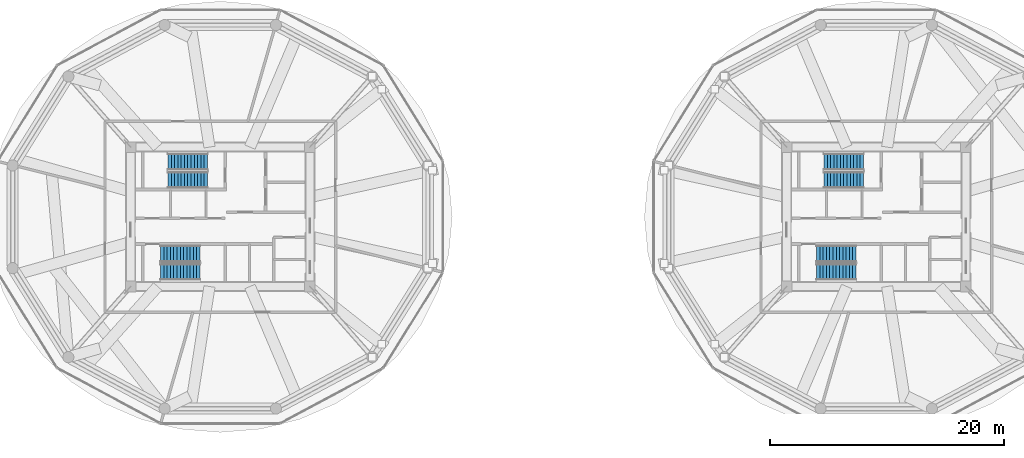
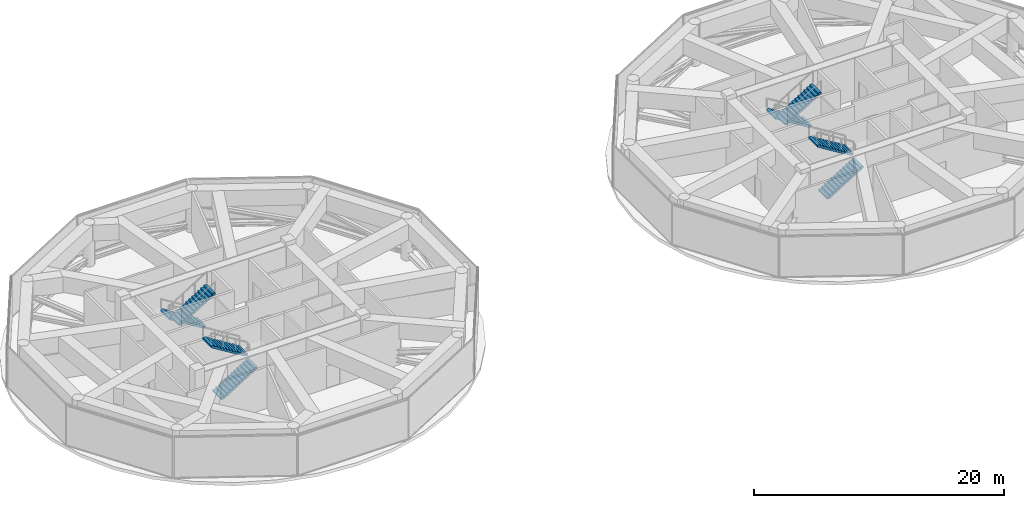
# One storey, part 19 of 22: 8 stair flights, 4 elements without a shape of their own.
"""IFC4 building model written with IfcOpenShell, lengths in metres."""

from ifc_helpers import new_model, si_unit, direction, frame, origin, place, context, subcontext, project, spatial, polyline, outline, extrude, material, type_object, element, aggregate, save


model = new_model("IFC4")

# Units and contexts
model_context = context("Model", 3, precision=1e-05, world=origin(), true_north=direction((0.0, 1.0)))
body_context = subcontext(model_context, "Body", "Model", "MODEL_VIEW")
ifc_project = project(units=[si_unit("LENGTHUNIT", "METRE"), si_unit("AREAUNIT", "SQUARE_METRE"), si_unit("VOLUMEUNIT", "CUBIC_METRE"), si_unit("PLANEANGLEUNIT", "RADIAN"), si_unit("MASSUNIT", "GRAM", prefix="KILO")], contexts=[model_context])

# Site, building, storey
site_placement = place(None, origin())
site = spatial("IfcSite", under=ifc_project, at=site_placement, CompositionType="ELEMENT")
building_placement = place(site_placement, origin())
building = spatial("IfcBuilding", under=site, at=building_placement, Name="Norrkilde Senior Care Towers", CompositionType="ELEMENT")
storey_placement = place(building_placement, frame((0.0, 0.0, 73.449951171875)))
storey = spatial("IfcBuildingStorey", under=building, at=storey_placement, Name="L22", CompositionType="ELEMENT", Elevation=73.449951171875)

# Stair, stair flights
ifc_material = material(Name="Concrete C45/55", Category="concrete")
stair_type = type_object("IfcStairType", Name="Core Protected Dogleg Stair Refuge 4500", PredefinedType="HALF_TURN_STAIR", material=ifc_material)
stair_1_placement = place(storey_placement, origin())
stair_1 = element("IfcStair", 1, at=stair_1_placement, inside=storey, type_object=stair_type, Name="L22 Protected Core Stair W1", PredefinedType="HALF_TURN_STAIR")
stair_flight_type = type_object("IfcStairFlightType", Name="Core Protected Dogleg Stair Refuge 4500 Flight", PredefinedType="STRAIGHT", material=ifc_material)
stair_flight_1_placement = place(storey_placement, frame((-29.10009765625, 4.699951171875, 0.0), z_axis=(0.0, 0.0, 1.0), x_axis=(-1.0, 0.0, 0.0)))
stair_flight_1 = element("IfcStairFlight", 2, at=stair_flight_1_placement, type_object=stair_flight_type, Name="ST-W1 flight 1", NumberOfRisers=13, NumberOfTreads=12, PredefinedType="STRAIGHT", RiserHeight=0.173076923, TreadLength=0.28, context=body_context, shape_type="SweptSolid", body=[
    extrude(outline(polyline([(0.0, 0.0), (0.0, 0.173095703125), (0.280029296875, 0.173095703125), (0.280029296875, 0.34619140625), (0.56005859375, 0.34619140625), (0.56005859375, 0.519287109375), (0.840087890625, 0.519287109375), (0.840087890625, 0.6923828125), (1.1201171875, 0.6923828125), (1.1201171875, 0.865478515625), (1.39990234375, 0.865478515625), (1.39990234375, 1.03857421875), (1.679931640625, 1.03857421875), (1.679931640625, 1.21142578125), (1.9599609375, 1.21142578125), (1.9599609375, 1.384521484375), (2.239990234375, 1.384521484375), (2.239990234375, 1.5576171875), (2.52001953125, 1.5576171875), (2.52001953125, 1.730712890625), (2.800048828125, 1.730712890625), (2.800048828125, 1.90380859375), (3.080078125, 1.90380859375), (3.080078125, 2.076904296875), (3.360107421875, 2.076904296875), (3.360107421875, 2.25), (3.360107421875, 1.900634765625), (0.28515625, 0.0), (0.0, 0.0)])), frame((0.0, 0.699951171875, 0.0), z_axis=(0.0, -1.0, 0.0), x_axis=(1.0, 0.0, 0.0)), (0.0, 0.0, 1.0), 1.39990234375),
])
stair_flight_2_placement = place(storey_placement, frame((-32.4599609375, 3.14990234375, 2.25), z_axis=(0.0, 0.0, 1.0), x_axis=(1.0, 0.0, 0.0)))
stair_flight_2 = element("IfcStairFlight", 3, at=stair_flight_2_placement, type_object=stair_flight_type, Name="ST-W1 flight 2", NumberOfRisers=13, NumberOfTreads=12, PredefinedType="STRAIGHT", RiserHeight=0.173076923, TreadLength=0.28, context=body_context, shape_type="SweptSolid", body=[
    extrude(outline(polyline([(0.0, 0.0), (0.0, 0.173095703125), (0.280029296875, 0.173095703125), (0.280029296875, 0.34619140625), (0.56005859375, 0.34619140625), (0.56005859375, 0.519287109375), (0.840087890625, 0.519287109375), (0.840087890625, 0.6923828125), (1.1201171875, 0.6923828125), (1.1201171875, 0.865478515625), (1.39990234375, 0.865478515625), (1.39990234375, 1.03857421875), (1.679931640625, 1.03857421875), (1.679931640625, 1.21142578125), (1.9599609375, 1.21142578125), (1.9599609375, 1.384521484375), (2.239990234375, 1.384521484375), (2.239990234375, 1.5576171875), (2.52001953125, 1.5576171875), (2.52001953125, 1.730712890625), (2.800048828125, 1.730712890625), (2.800048828125, 1.90380859375), (3.080078125, 1.90380859375), (3.080078125, 2.076904296875), (3.360107421875, 2.076904296875), (3.360107421875, 2.25), (3.360107421875, 1.900634765625), (0.28515625, 0.0), (0.0, 0.0)])), frame((0.0, 0.699951171875, 0.0), z_axis=(0.0, -1.0, 0.0), x_axis=(1.0, 0.0, 0.0)), (0.0, 0.0, 1.0), 1.39990234375),
])
aggregate(stair_1, [stair_flight_1, stair_flight_2])

stair_2_placement = place(storey_placement, origin())
stair_2 = element("IfcStair", 4, at=stair_2_placement, inside=storey, type_object=stair_type, Name="L22 Protected Core Stair W2", PredefinedType="HALF_TURN_STAIR")
stair_flight_3_placement = place(storey_placement, frame((-33.10009765625, -4.699951171875, 0.0), z_axis=(0.0, 0.0, 1.0), x_axis=(1.0, 0.0, 0.0)))
stair_flight_3 = element("IfcStairFlight", 5, at=stair_flight_3_placement, type_object=stair_flight_type, Name="ST-W2 flight 1", NumberOfRisers=13, NumberOfTreads=12, PredefinedType="STRAIGHT", RiserHeight=0.173076923, TreadLength=0.28, context=body_context, shape_type="SweptSolid", body=[
    extrude(outline(polyline([(0.0, 0.0), (0.0, 0.173095703125), (0.280029296875, 0.173095703125), (0.280029296875, 0.34619140625), (0.56005859375, 0.34619140625), (0.56005859375, 0.519287109375), (0.840087890625, 0.519287109375), (0.840087890625, 0.6923828125), (1.1201171875, 0.6923828125), (1.1201171875, 0.865478515625), (1.39990234375, 0.865478515625), (1.39990234375, 1.03857421875), (1.679931640625, 1.03857421875), (1.679931640625, 1.21142578125), (1.9599609375, 1.21142578125), (1.9599609375, 1.384521484375), (2.239990234375, 1.384521484375), (2.239990234375, 1.5576171875), (2.52001953125, 1.5576171875), (2.52001953125, 1.730712890625), (2.800048828125, 1.730712890625), (2.800048828125, 1.90380859375), (3.080078125, 1.90380859375), (3.080078125, 2.076904296875), (3.360107421875, 2.076904296875), (3.360107421875, 2.25), (3.360107421875, 1.900634765625), (0.28515625, 0.0), (0.0, 0.0)])), frame((0.0, 0.699951171875, 0.0), z_axis=(0.0, -1.0, 0.0), x_axis=(1.0, 0.0, 0.0)), (0.0, 0.0, 1.0), 1.39990234375),
])
stair_flight_4_placement = place(storey_placement, frame((-29.739990234375, -3.14990234375, 2.25), z_axis=(0.0, 0.0, 1.0), x_axis=(-1.0, 0.0, 0.0)))
stair_flight_4 = element("IfcStairFlight", 6, at=stair_flight_4_placement, type_object=stair_flight_type, Name="ST-W2 flight 2", NumberOfRisers=13, NumberOfTreads=12, PredefinedType="STRAIGHT", RiserHeight=0.173076923, TreadLength=0.28, context=body_context, shape_type="SweptSolid", body=[
    extrude(outline(polyline([(0.0, 0.0), (0.0, 0.173095703125), (0.280029296875, 0.173095703125), (0.280029296875, 0.34619140625), (0.56005859375, 0.34619140625), (0.56005859375, 0.519287109375), (0.840087890625, 0.519287109375), (0.840087890625, 0.6923828125), (1.1201171875, 0.6923828125), (1.1201171875, 0.865478515625), (1.39990234375, 0.865478515625), (1.39990234375, 1.03857421875), (1.679931640625, 1.03857421875), (1.679931640625, 1.21142578125), (1.9599609375, 1.21142578125), (1.9599609375, 1.384521484375), (2.239990234375, 1.384521484375), (2.239990234375, 1.5576171875), (2.52001953125, 1.5576171875), (2.52001953125, 1.730712890625), (2.800048828125, 1.730712890625), (2.800048828125, 1.90380859375), (3.080078125, 1.90380859375), (3.080078125, 2.076904296875), (3.360107421875, 2.076904296875), (3.360107421875, 2.25), (3.360107421875, 1.900634765625), (0.28515625, 0.0), (0.0, 0.0)])), frame((0.0, 0.699951171875, 0.0), z_axis=(0.0, -1.0, 0.0), x_axis=(1.0, 0.0, 0.0)), (0.0, 0.0, 1.0), 1.39990234375),
])
aggregate(stair_2, [stair_flight_3, stair_flight_4])

stair_3_placement = place(storey_placement, origin())
stair_3 = element("IfcStair", 7, at=stair_3_placement, inside=storey, type_object=stair_type, Name="L22 Protected Core Stair E1", PredefinedType="HALF_TURN_STAIR")
stair_flight_5_placement = place(storey_placement, frame((26.89990234375, 4.699951171875, 0.0), z_axis=(0.0, 0.0, 1.0), x_axis=(-1.0, 0.0, 0.0)))
stair_flight_5 = element("IfcStairFlight", 8, at=stair_flight_5_placement, type_object=stair_flight_type, Name="ST-E1 flight 1", NumberOfRisers=13, NumberOfTreads=12, PredefinedType="STRAIGHT", RiserHeight=0.173076923, TreadLength=0.28, context=body_context, shape_type="SweptSolid", body=[
    extrude(outline(polyline([(0.0, 0.0), (0.0, 0.173095703125), (0.280029296875, 0.173095703125), (0.280029296875, 0.34619140625), (0.56005859375, 0.34619140625), (0.56005859375, 0.519287109375), (0.840087890625, 0.519287109375), (0.840087890625, 0.6923828125), (1.1201171875, 0.6923828125), (1.1201171875, 0.865478515625), (1.39990234375, 0.865478515625), (1.39990234375, 1.03857421875), (1.679931640625, 1.03857421875), (1.679931640625, 1.21142578125), (1.9599609375, 1.21142578125), (1.9599609375, 1.384521484375), (2.239990234375, 1.384521484375), (2.239990234375, 1.5576171875), (2.52001953125, 1.5576171875), (2.52001953125, 1.730712890625), (2.800048828125, 1.730712890625), (2.800048828125, 1.90380859375), (3.080078125, 1.90380859375), (3.080078125, 2.076904296875), (3.360107421875, 2.076904296875), (3.360107421875, 2.25), (3.360107421875, 1.900634765625), (0.28515625, 0.0), (0.0, 0.0)])), frame((0.0, 0.699951171875, 0.0), z_axis=(0.0, -1.0, 0.0), x_axis=(1.0, 0.0, 0.0)), (0.0, 0.0, 1.0), 1.39990234375),
])
stair_flight_6_placement = place(storey_placement, frame((23.5400390625, 3.14990234375, 2.25), z_axis=(0.0, 0.0, 1.0), x_axis=(1.0, 0.0, 0.0)))
stair_flight_6 = element("IfcStairFlight", 9, at=stair_flight_6_placement, type_object=stair_flight_type, Name="ST-E1 flight 2", NumberOfRisers=13, NumberOfTreads=12, PredefinedType="STRAIGHT", RiserHeight=0.173076923, TreadLength=0.28, context=body_context, shape_type="SweptSolid", body=[
    extrude(outline(polyline([(0.0, 0.0), (0.0, 0.173095703125), (0.280029296875, 0.173095703125), (0.280029296875, 0.34619140625), (0.56005859375, 0.34619140625), (0.56005859375, 0.519287109375), (0.840087890625, 0.519287109375), (0.840087890625, 0.6923828125), (1.1201171875, 0.6923828125), (1.1201171875, 0.865478515625), (1.39990234375, 0.865478515625), (1.39990234375, 1.03857421875), (1.679931640625, 1.03857421875), (1.679931640625, 1.21142578125), (1.9599609375, 1.21142578125), (1.9599609375, 1.384521484375), (2.239990234375, 1.384521484375), (2.239990234375, 1.5576171875), (2.52001953125, 1.5576171875), (2.52001953125, 1.730712890625), (2.800048828125, 1.730712890625), (2.800048828125, 1.90380859375), (3.080078125, 1.90380859375), (3.080078125, 2.076904296875), (3.360107421875, 2.076904296875), (3.360107421875, 2.25), (3.360107421875, 1.900634765625), (0.28515625, 0.0), (0.0, 0.0)])), frame((0.0, 0.699951171875, 0.0), z_axis=(0.0, -1.0, 0.0), x_axis=(1.0, 0.0, 0.0)), (0.0, 0.0, 1.0), 1.39990234375),
])
aggregate(stair_3, [stair_flight_5, stair_flight_6])

stair_4_placement = place(storey_placement, origin())
stair_4 = element("IfcStair", 10, at=stair_4_placement, inside=storey, type_object=stair_type, Name="L22 Protected Core Stair E2", PredefinedType="HALF_TURN_STAIR")
stair_flight_7_placement = place(storey_placement, frame((22.89990234375, -4.699951171875, 0.0), z_axis=(0.0, 0.0, 1.0), x_axis=(1.0, 0.0, 0.0)))
stair_flight_7 = element("IfcStairFlight", 11, at=stair_flight_7_placement, type_object=stair_flight_type, Name="ST-E2 flight 1", NumberOfRisers=13, NumberOfTreads=12, PredefinedType="STRAIGHT", RiserHeight=0.173076923, TreadLength=0.28, context=body_context, shape_type="SweptSolid", body=[
    extrude(outline(polyline([(0.0, 0.0), (0.0, 0.173095703125), (0.280029296875, 0.173095703125), (0.280029296875, 0.34619140625), (0.56005859375, 0.34619140625), (0.56005859375, 0.519287109375), (0.840087890625, 0.519287109375), (0.840087890625, 0.6923828125), (1.1201171875, 0.6923828125), (1.1201171875, 0.865478515625), (1.39990234375, 0.865478515625), (1.39990234375, 1.03857421875), (1.679931640625, 1.03857421875), (1.679931640625, 1.21142578125), (1.9599609375, 1.21142578125), (1.9599609375, 1.384521484375), (2.239990234375, 1.384521484375), (2.239990234375, 1.5576171875), (2.52001953125, 1.5576171875), (2.52001953125, 1.730712890625), (2.800048828125, 1.730712890625), (2.800048828125, 1.90380859375), (3.080078125, 1.90380859375), (3.080078125, 2.076904296875), (3.360107421875, 2.076904296875), (3.360107421875, 2.25), (3.360107421875, 1.900634765625), (0.28515625, 0.0), (0.0, 0.0)])), frame((0.0, 0.699951171875, 0.0), z_axis=(0.0, -1.0, 0.0), x_axis=(1.0, 0.0, 0.0)), (0.0, 0.0, 1.0), 1.39990234375),
])
stair_flight_8_placement = place(storey_placement, frame((26.260009765625, -3.14990234375, 2.25), z_axis=(0.0, 0.0, 1.0), x_axis=(-1.0, 0.0, 0.0)))
stair_flight_8 = element("IfcStairFlight", 12, at=stair_flight_8_placement, type_object=stair_flight_type, Name="ST-E2 flight 2", NumberOfRisers=13, NumberOfTreads=12, PredefinedType="STRAIGHT", RiserHeight=0.173076923, TreadLength=0.28, context=body_context, shape_type="SweptSolid", body=[
    extrude(outline(polyline([(0.0, 0.0), (0.0, 0.173095703125), (0.280029296875, 0.173095703125), (0.280029296875, 0.34619140625), (0.56005859375, 0.34619140625), (0.56005859375, 0.519287109375), (0.840087890625, 0.519287109375), (0.840087890625, 0.6923828125), (1.1201171875, 0.6923828125), (1.1201171875, 0.865478515625), (1.39990234375, 0.865478515625), (1.39990234375, 1.03857421875), (1.679931640625, 1.03857421875), (1.679931640625, 1.21142578125), (1.9599609375, 1.21142578125), (1.9599609375, 1.384521484375), (2.239990234375, 1.384521484375), (2.239990234375, 1.5576171875), (2.52001953125, 1.5576171875), (2.52001953125, 1.730712890625), (2.800048828125, 1.730712890625), (2.800048828125, 1.90380859375), (3.080078125, 1.90380859375), (3.080078125, 2.076904296875), (3.360107421875, 2.076904296875), (3.360107421875, 2.25), (3.360107421875, 1.900634765625), (0.28515625, 0.0), (0.0, 0.0)])), frame((0.0, 0.699951171875, 0.0), z_axis=(0.0, -1.0, 0.0), x_axis=(1.0, 0.0, 0.0)), (0.0, 0.0, 1.0), 1.39990234375),
])
aggregate(stair_4, [stair_flight_7, stair_flight_8])

save(model, "model.ifc")
